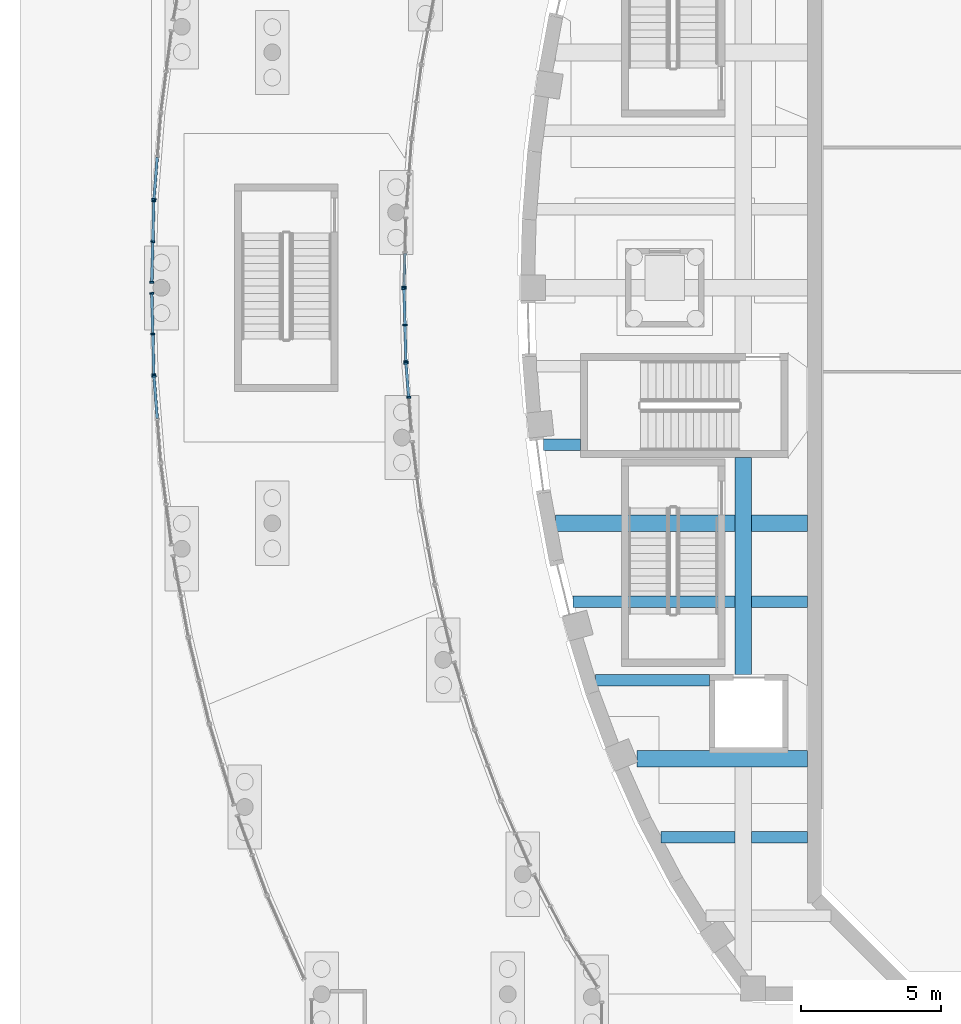
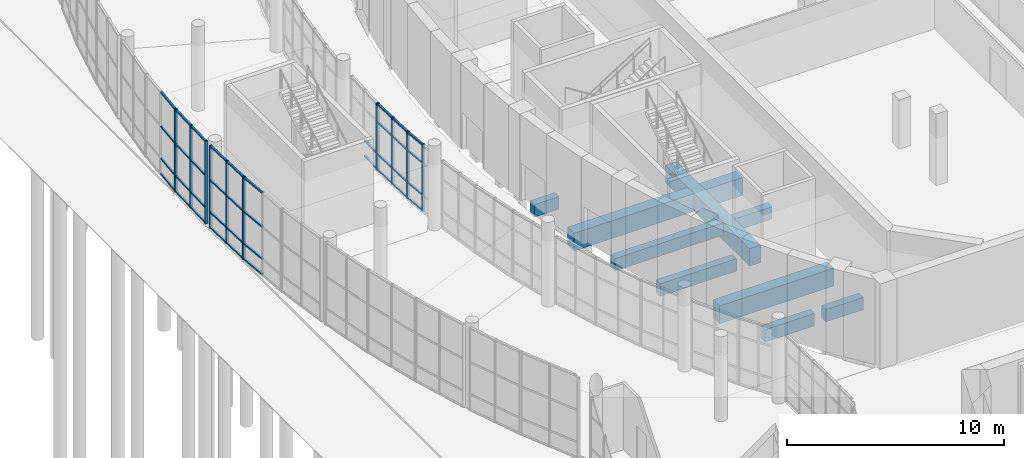
# One storey, part 22 of 110: 52 members, 9 beams, 7 elements without a shape of their own.
"""IFC4 building model written with IfcOpenShell, lengths in metres."""

from ifc_helpers import new_model, si_unit, direction, frame, origin, origin_2d, place, context, subcontext, project, spatial, rectangle, extrude, material, layer, layer_set, material_profile, profile_set, type_object, element, aggregate, save


model = new_model("IFC4")

# Units and contexts
model_context = context("Model", 3, precision=1e-05, world=origin(), true_north=direction((0.0, 1.0)))
body_context = subcontext(model_context, "Body", "Model", "MODEL_VIEW")
ifc_project = project(units=[si_unit("LENGTHUNIT", "METRE"), si_unit("AREAUNIT", "SQUARE_METRE"), si_unit("VOLUMEUNIT", "CUBIC_METRE"), si_unit("PLANEANGLEUNIT", "RADIAN"), si_unit("MASSUNIT", "GRAM", prefix="KILO")], contexts=[model_context])

# Site, building, storey
site_placement = place(None, origin())
site = spatial("IfcSite", under=ifc_project, at=site_placement, CompositionType="ELEMENT")
building_placement = place(site_placement, origin())
building = spatial("IfcBuilding", under=site, at=building_placement, Name="Larchfold Concert Hall", CompositionType="ELEMENT")
storey_placement = place(building_placement, origin())
storey = spatial("IfcBuildingStorey", under=building, at=storey_placement, Name="L00", CompositionType="ELEMENT", Elevation=0.0)

# Curtain wall, members
ifc_material_1 = material(Name="Anodised graphite aluminium curtain wall", Category="aluminium")
ifc_layer = layer(ifc_material_1, 0.14990234375)
ifc_layer_set = layer_set([ifc_layer], Name="Anodised graphite aluminium curtain wall")
curtain_wall_type = type_object("IfcCurtainWallType", Name="Curtain wall WG", PredefinedType="NOTDEFINED", material=ifc_layer_set)
curtain_wall_1_placement = place(storey_placement, origin())
curtain_wall_1 = element("IfcCurtainWall", 1, at=curtain_wall_1_placement, inside=storey, type_object=curtain_wall_type, Name="Curtain wall CW0069", PredefinedType="NOTDEFINED")
ifc_material_2 = material(Name="Anodised graphite aluminium mullion", Category="aluminium")
ifc_material_profile_1 = material_profile(ifc_material_2, rectangle(XDim=0.14990234375, YDim=0.06005859375, at=origin_2d()))
ifc_profile_set_1 = profile_set([ifc_material_profile_1], Name="Anodised graphite aluminium mullion")
member_type_1 = type_object("IfcMemberType", Name="Aluminium mullion 60x150", PredefinedType="MULLION", material=ifc_profile_set_1)
member_1_placement = place(storey_placement, frame((13.8642578125, 80.693359375, 0.0), z_axis=(0.0, 0.0, 1.0), x_axis=(-0.996988627345, -0.077547900972, 0.0)))
member_1 = element("IfcMember", 2, at=member_1_placement, type_object=member_type_1, Name="CW0069 mullion 2", PredefinedType="MULLION", context=body_context, shape_type="SweptSolid", body=[
    extrude(rectangle(XDim=0.14990234375, YDim=0.06005859375, at=origin_2d()), origin(), (0.0, 0.0, 1.0), 3.75),
])
member_2_placement = place(storey_placement, frame((13.769775390625, 81.909423828125, 0.0), z_axis=(0.0, 0.0, 1.0), x_axis=(-0.996988627345, -0.077547900972, 0.0)))
member_2 = element("IfcMember", 3, at=member_2_placement, type_object=member_type_1, Name="CW0069 mullion 3", PredefinedType="MULLION", context=body_context, shape_type="SweptSolid", body=[
    extrude(rectangle(XDim=0.14990234375, YDim=0.06005859375, at=origin_2d()), origin(), (0.0, 0.0, 1.0), 3.75),
])

curtain_wall_2_placement = place(storey_placement, origin())
curtain_wall_2 = element("IfcCurtainWall", 4, at=curtain_wall_2_placement, inside=storey, type_object=curtain_wall_type, Name="Curtain wall CW0070", PredefinedType="NOTDEFINED")
member_3_placement = place(storey_placement, frame((13.7666015625, 81.969482421875, 0.0), z_axis=(0.0, 0.0, 1.0), x_axis=(-0.999667744222, -0.02577598033, 0.0)))
member_3 = element("IfcMember", 5, at=member_3_placement, type_object=member_type_1, Name="CW0070 mullion 1", PredefinedType="MULLION", context=body_context, shape_type="SweptSolid", body=[
    extrude(rectangle(XDim=0.14990234375, YDim=0.06005859375, at=origin_2d()), origin(), (0.0, 0.0, 1.0), 3.75),
])
member_4_placement = place(storey_placement, frame((13.733154296875, 83.269775390625, 0.0), z_axis=(0.0, 0.0, 1.0), x_axis=(-0.999667744222, -0.02577598033, 0.0)))
member_4 = element("IfcMember", 6, at=member_4_placement, type_object=member_type_1, Name="CW0070 mullion 2", PredefinedType="MULLION", context=body_context, shape_type="SweptSolid", body=[
    extrude(rectangle(XDim=0.14990234375, YDim=0.06005859375, at=origin_2d()), origin(), (0.0, 0.0, 1.0), 3.75),
])
member_5_placement = place(storey_placement, frame((13.699462890625, 84.570068359375, 0.0), z_axis=(0.0, 0.0, 1.0), x_axis=(-0.999667744222, -0.02577598033, 0.0)))
member_5 = element("IfcMember", 7, at=member_5_placement, type_object=member_type_1, Name="CW0070 mullion 3", PredefinedType="MULLION", context=body_context, shape_type="SweptSolid", body=[
    extrude(rectangle(XDim=0.14990234375, YDim=0.06005859375, at=origin_2d()), origin(), (0.0, 0.0, 1.0), 3.75),
])

# Curtain wall, member
curtain_wall_3_placement = place(storey_placement, origin())
curtain_wall_3 = element("IfcCurtainWall", 8, at=curtain_wall_3_placement, inside=storey, type_object=curtain_wall_type, Name="Curtain wall CW0071", PredefinedType="NOTDEFINED")
member_6_placement = place(storey_placement, frame((13.699462890625, 84.630126953125, 0.0), z_axis=(0.0, 0.0, 1.0), x_axis=(-0.999668113706, 0.025761646688, 0.0)))
member_6 = element("IfcMember", 9, at=member_6_placement, type_object=member_type_1, Name="CW0071 mullion 1", PredefinedType="MULLION", context=body_context, shape_type="SweptSolid", body=[
    extrude(rectangle(XDim=0.14990234375, YDim=0.06005859375, at=origin_2d()), origin(), (0.0, 0.0, 1.0), 3.75),
])

curtain_wall_4_placement = place(storey_placement, origin())
curtain_wall_4 = element("IfcCurtainWall", 10, at=curtain_wall_4_placement, inside=storey, type_object=curtain_wall_type, Name="Curtain wall CW0117", PredefinedType="NOTDEFINED")
member_7_placement = place(storey_placement, frame((4.77880859375, 87.755859375, 0.0), z_axis=(0.0, 0.0, 1.0), x_axis=(0.996995051834, -0.077465260721, 0.0)))
member_7 = element("IfcMember", 11, at=member_7_placement, type_object=member_type_1, Name="CW0117 mullion 3", PredefinedType="MULLION", context=body_context, shape_type="SweptSolid", body=[
    extrude(rectangle(XDim=0.14990234375, YDim=0.06005859375, at=origin_2d()), origin(), (0.0, 0.0, 1.0), 4.64990234375),
])

# Curtain wall, members
curtain_wall_5_placement = place(storey_placement, origin())
curtain_wall_5 = element("IfcCurtainWall", 12, at=curtain_wall_5_placement, inside=storey, type_object=curtain_wall_type, Name="Curtain wall CW0118", PredefinedType="NOTDEFINED")
member_8_placement = place(storey_placement, frame((4.775634765625, 87.69580078125, 0.0), z_axis=(0.0, 0.0, 1.0), x_axis=(0.999666589289, -0.025820733125, 0.0)))
member_8 = element("IfcMember", 13, at=member_8_placement, type_object=member_type_1, Name="CW0118 mullion 1", PredefinedType="MULLION", context=body_context, shape_type="SweptSolid", body=[
    extrude(rectangle(XDim=0.14990234375, YDim=0.06005859375, at=origin_2d()), origin(), (0.0, 0.0, 1.0), 4.64990234375),
])
member_9_placement = place(storey_placement, frame((4.73828125, 86.24658203125, 0.0), z_axis=(0.0, 0.0, 1.0), x_axis=(0.999666589289, -0.025820733125, 0.0)))
member_9 = element("IfcMember", 14, at=member_9_placement, type_object=member_type_1, Name="CW0118 mullion 2", PredefinedType="MULLION", context=body_context, shape_type="SweptSolid", body=[
    extrude(rectangle(XDim=0.14990234375, YDim=0.06005859375, at=origin_2d()), origin(), (0.0, 0.0, 1.0), 4.64990234375),
])
member_10_placement = place(storey_placement, frame((4.70068359375, 84.79736328125, 0.0), z_axis=(0.0, 0.0, 1.0), x_axis=(0.999666589289, -0.025820733125, 0.0)))
member_10 = element("IfcMember", 15, at=member_10_placement, type_object=member_type_1, Name="CW0118 mullion 3", PredefinedType="MULLION", context=body_context, shape_type="SweptSolid", body=[
    extrude(rectangle(XDim=0.14990234375, YDim=0.06005859375, at=origin_2d()), origin(), (0.0, 0.0, 1.0), 4.64990234375),
])

curtain_wall_6_placement = place(storey_placement, origin())
curtain_wall_6 = element("IfcCurtainWall", 16, at=curtain_wall_6_placement, inside=storey, type_object=curtain_wall_type, Name="Curtain wall CW0119", PredefinedType="NOTDEFINED")
member_11_placement = place(storey_placement, frame((4.70068359375, 84.40283203125, 0.0), z_axis=(0.0, 0.0, 1.0), x_axis=(0.999666589289, 0.025820733125, 0.0)))
member_11 = element("IfcMember", 17, at=member_11_placement, type_object=member_type_1, Name="CW0119 mullion 1", PredefinedType="MULLION", context=body_context, shape_type="SweptSolid", body=[
    extrude(rectangle(XDim=0.14990234375, YDim=0.06005859375, at=origin_2d()), origin(), (0.0, 0.0, 1.0), 4.64990234375),
])
member_12_placement = place(storey_placement, frame((4.73828125, 82.95361328125, 0.0), z_axis=(0.0, 0.0, 1.0), x_axis=(0.999666589289, 0.025820733125, 0.0)))
member_12 = element("IfcMember", 18, at=member_12_placement, type_object=member_type_1, Name="CW0119 mullion 2", PredefinedType="MULLION", context=body_context, shape_type="SweptSolid", body=[
    extrude(rectangle(XDim=0.14990234375, YDim=0.06005859375, at=origin_2d()), origin(), (0.0, 0.0, 1.0), 4.64990234375),
])
member_13_placement = place(storey_placement, frame((4.775634765625, 81.50439453125, 0.0), z_axis=(0.0, 0.0, 1.0), x_axis=(0.999666589289, 0.025820733125, 0.0)))
member_13 = element("IfcMember", 19, at=member_13_placement, type_object=member_type_1, Name="CW0119 mullion 3", PredefinedType="MULLION", context=body_context, shape_type="SweptSolid", body=[
    extrude(rectangle(XDim=0.14990234375, YDim=0.06005859375, at=origin_2d()), origin(), (0.0, 0.0, 1.0), 4.64990234375),
])

# Curtain wall, member
curtain_wall_7_placement = place(storey_placement, origin())
curtain_wall_7 = element("IfcCurtainWall", 20, at=curtain_wall_7_placement, inside=storey, type_object=curtain_wall_type, Name="Curtain wall CW0120", PredefinedType="NOTDEFINED")
member_14_placement = place(storey_placement, frame((4.77880859375, 81.4443359375, 0.0), z_axis=(0.0, 0.0, 1.0), x_axis=(0.996995051833, 0.077465260739, 0.0)))
member_14 = element("IfcMember", 21, at=member_14_placement, type_object=member_type_1, Name="CW0120 mullion 1", PredefinedType="MULLION", context=body_context, shape_type="SweptSolid", body=[
    extrude(rectangle(XDim=0.14990234375, YDim=0.06005859375, at=origin_2d()), origin(), (0.0, 0.0, 1.0), 4.64990234375),
])

# Member
ifc_material_3 = material(Name="Anodised graphite aluminium transom", Category="aluminium")
ifc_material_profile_2 = material_profile(ifc_material_3, rectangle(XDim=0.10009765625, YDim=0.080078125, at=origin_2d()))
ifc_profile_set_2 = profile_set([ifc_material_profile_2], Name="Anodised graphite aluminium transom")
member_type_2 = type_object("IfcMemberType", Name="Aluminium transom 80x100", PredefinedType="USERDEFINED", material=ifc_profile_set_2)
member_15_placement = place(storey_placement, frame((13.86181640625, 80.723388671875, 0.0400390625), z_axis=(-0.077469186407, 0.996994746805, 0.0), x_axis=(-0.996994746805, -0.077469186407, 0.0)))
member_15 = element("IfcMember", 22, at=member_15_placement, type_object=member_type_2, Name="CW0069 transom 2.1", ObjectType="TRANSOM", PredefinedType="USERDEFINED", context=body_context, shape_type="SweptSolid", body=[
    extrude(rectangle(XDim=0.10009765625, YDim=0.080078125, at=origin_2d()), origin(), (0.0, 0.0, 1.0), 1.15966796875),
])

member_16_placement = place(storey_placement, frame((13.86181640625, 80.723388671875, 0.89990234375), z_axis=(-0.077469186407, 0.996994746805, 0.0), x_axis=(-0.996994746805, -0.077469186407, 0.0)))
member_16 = element("IfcMember", 23, at=member_16_placement, type_object=member_type_2, Name="CW0069 transom 2.2", ObjectType="TRANSOM", PredefinedType="USERDEFINED", context=body_context, shape_type="SweptSolid", body=[
    extrude(rectangle(XDim=0.10009765625, YDim=0.080078125, at=origin_2d()), origin(), (0.0, 0.0, 1.0), 1.15966796875),
])

member_17_placement = place(storey_placement, frame((13.86181640625, 80.723388671875, 2.699951171875), z_axis=(-0.077469186407, 0.996994746805, 0.0), x_axis=(-0.996994746805, -0.077469186407, 0.0)))
member_17 = element("IfcMember", 24, at=member_17_placement, type_object=member_type_2, Name="CW0069 transom 2.3", ObjectType="TRANSOM", PredefinedType="USERDEFINED", context=body_context, shape_type="SweptSolid", body=[
    extrude(rectangle(XDim=0.10009765625, YDim=0.080078125, at=origin_2d()), origin(), (0.0, 0.0, 1.0), 1.15966796875),
])

member_18_placement = place(storey_placement, frame((13.86181640625, 80.723388671875, 3.7099609375), z_axis=(-0.077469186407, 0.996994746805, 0.0), x_axis=(-0.996994746805, -0.077469186407, 0.0)))
member_18 = element("IfcMember", 25, at=member_18_placement, type_object=member_type_2, Name="CW0069 transom 2.4", ObjectType="TRANSOM", PredefinedType="USERDEFINED", context=body_context, shape_type="SweptSolid", body=[
    extrude(rectangle(XDim=0.10009765625, YDim=0.080078125, at=origin_2d()), origin(), (0.0, 0.0, 1.0), 1.15966796875),
])

aggregate(curtain_wall_1, [member_1, member_2, member_15, member_16, member_17, member_18])

member_19_placement = place(storey_placement, frame((13.765869140625, 81.99951171875, 0.0400390625), z_axis=(-0.025778831666, 0.999667670698, 0.0), x_axis=(-0.999667670698, -0.025778831666, 0.0)))
member_19 = element("IfcMember", 26, at=member_19_placement, type_object=member_type_2, Name="CW0070 transom 1.1", ObjectType="TRANSOM", PredefinedType="USERDEFINED", context=body_context, shape_type="SweptSolid", body=[
    extrude(rectangle(XDim=0.10009765625, YDim=0.080078125, at=origin_2d()), origin(), (0.0, 0.0, 1.0), 1.24072265625),
])

member_20_placement = place(storey_placement, frame((13.765869140625, 81.99951171875, 0.89990234375), z_axis=(-0.025778831666, 0.999667670698, 0.0), x_axis=(-0.999667670698, -0.025778831666, 0.0)))
member_20 = element("IfcMember", 27, at=member_20_placement, type_object=member_type_2, Name="CW0070 transom 1.2", ObjectType="TRANSOM", PredefinedType="USERDEFINED", context=body_context, shape_type="SweptSolid", body=[
    extrude(rectangle(XDim=0.10009765625, YDim=0.080078125, at=origin_2d()), origin(), (0.0, 0.0, 1.0), 1.24072265625),
])

member_21_placement = place(storey_placement, frame((13.765869140625, 81.99951171875, 2.699951171875), z_axis=(-0.025778831666, 0.999667670698, 0.0), x_axis=(-0.999667670698, -0.025778831666, 0.0)))
member_21 = element("IfcMember", 28, at=member_21_placement, type_object=member_type_2, Name="CW0070 transom 1.3", ObjectType="TRANSOM", PredefinedType="USERDEFINED", context=body_context, shape_type="SweptSolid", body=[
    extrude(rectangle(XDim=0.10009765625, YDim=0.080078125, at=origin_2d()), origin(), (0.0, 0.0, 1.0), 1.24072265625),
])

member_22_placement = place(storey_placement, frame((13.765869140625, 81.99951171875, 3.7099609375), z_axis=(-0.025778831666, 0.999667670698, 0.0), x_axis=(-0.999667670698, -0.025778831666, 0.0)))
member_22 = element("IfcMember", 29, at=member_22_placement, type_object=member_type_2, Name="CW0070 transom 1.4", ObjectType="TRANSOM", PredefinedType="USERDEFINED", context=body_context, shape_type="SweptSolid", body=[
    extrude(rectangle(XDim=0.10009765625, YDim=0.080078125, at=origin_2d()), origin(), (0.0, 0.0, 1.0), 1.24072265625),
])

member_23_placement = place(storey_placement, frame((13.732177734375, 83.2998046875, 0.0400390625), z_axis=(-0.025778831666, 0.999667670698, 0.0), x_axis=(-0.999667670698, -0.025778831666, 0.0)))
member_23 = element("IfcMember", 30, at=member_23_placement, type_object=member_type_2, Name="CW0070 transom 2.1", ObjectType="TRANSOM", PredefinedType="USERDEFINED", context=body_context, shape_type="SweptSolid", body=[
    extrude(rectangle(XDim=0.10009765625, YDim=0.080078125, at=origin_2d()), origin(), (0.0, 0.0, 1.0), 1.24072265625),
])

member_24_placement = place(storey_placement, frame((13.732177734375, 83.2998046875, 0.89990234375), z_axis=(-0.025778831666, 0.999667670698, 0.0), x_axis=(-0.999667670698, -0.025778831666, 0.0)))
member_24 = element("IfcMember", 31, at=member_24_placement, type_object=member_type_2, Name="CW0070 transom 2.2", ObjectType="TRANSOM", PredefinedType="USERDEFINED", context=body_context, shape_type="SweptSolid", body=[
    extrude(rectangle(XDim=0.10009765625, YDim=0.080078125, at=origin_2d()), origin(), (0.0, 0.0, 1.0), 1.24072265625),
])

member_25_placement = place(storey_placement, frame((13.732177734375, 83.2998046875, 2.699951171875), z_axis=(-0.025778831666, 0.999667670698, 0.0), x_axis=(-0.999667670698, -0.025778831666, 0.0)))
member_25 = element("IfcMember", 32, at=member_25_placement, type_object=member_type_2, Name="CW0070 transom 2.3", ObjectType="TRANSOM", PredefinedType="USERDEFINED", context=body_context, shape_type="SweptSolid", body=[
    extrude(rectangle(XDim=0.10009765625, YDim=0.080078125, at=origin_2d()), origin(), (0.0, 0.0, 1.0), 1.24072265625),
])

member_26_placement = place(storey_placement, frame((13.732177734375, 83.2998046875, 3.7099609375), z_axis=(-0.025778831666, 0.999667670698, 0.0), x_axis=(-0.999667670698, -0.025778831666, 0.0)))
member_26 = element("IfcMember", 33, at=member_26_placement, type_object=member_type_2, Name="CW0070 transom 2.4", ObjectType="TRANSOM", PredefinedType="USERDEFINED", context=body_context, shape_type="SweptSolid", body=[
    extrude(rectangle(XDim=0.10009765625, YDim=0.080078125, at=origin_2d()), origin(), (0.0, 0.0, 1.0), 1.24072265625),
])

aggregate(curtain_wall_2, [member_3, member_4, member_5, member_19, member_20, member_21, member_22, member_23, member_24, member_25, member_26])

member_27_placement = place(storey_placement, frame((13.7001953125, 84.66015625, 0.0400390625), z_axis=(0.025867801791, 0.999665372427, 0.0), x_axis=(-0.999665372427, 0.025867801791, 0.0)))
member_27 = element("IfcMember", 34, at=member_27_placement, type_object=member_type_2, Name="CW0071 transom 1.1", ObjectType="TRANSOM", PredefinedType="USERDEFINED", context=body_context, shape_type="SweptSolid", body=[
    extrude(rectangle(XDim=0.10009765625, YDim=0.080078125, at=origin_2d()), origin(), (0.0, 0.0, 1.0), 1.17041015625),
])

member_28_placement = place(storey_placement, frame((13.7001953125, 84.66015625, 0.89990234375), z_axis=(0.025867801791, 0.999665372427, 0.0), x_axis=(-0.999665372427, 0.025867801791, 0.0)))
member_28 = element("IfcMember", 35, at=member_28_placement, type_object=member_type_2, Name="CW0071 transom 1.2", ObjectType="TRANSOM", PredefinedType="USERDEFINED", context=body_context, shape_type="SweptSolid", body=[
    extrude(rectangle(XDim=0.10009765625, YDim=0.080078125, at=origin_2d()), origin(), (0.0, 0.0, 1.0), 1.17041015625),
])

aggregate(curtain_wall_3, [member_6, member_27, member_28])

member_29_placement = place(storey_placement, frame((4.895263671875, 89.257568359375, 0.0400390625), z_axis=(-0.077391996533, -0.997000741661, 0.0), x_axis=(0.997000741661, -0.077391996533, 0.0)))
member_29 = element("IfcMember", 36, at=member_29_placement, type_object=member_type_2, Name="CW0117 transom 2.1", ObjectType="TRANSOM", PredefinedType="USERDEFINED", context=body_context, shape_type="SweptSolid", body=[
    extrude(rectangle(XDim=0.10009765625, YDim=0.080078125, at=origin_2d()), origin(), (0.0, 0.0, 1.0), 1.476318359375),
])

member_30_placement = place(storey_placement, frame((4.895263671875, 89.257568359375, 0.89990234375), z_axis=(-0.077391996533, -0.997000741661, 0.0), x_axis=(0.997000741661, -0.077391996533, 0.0)))
member_30 = element("IfcMember", 37, at=member_30_placement, type_object=member_type_2, Name="CW0117 transom 2.2", ObjectType="TRANSOM", PredefinedType="USERDEFINED", context=body_context, shape_type="SweptSolid", body=[
    extrude(rectangle(XDim=0.10009765625, YDim=0.080078125, at=origin_2d()), origin(), (0.0, 0.0, 1.0), 1.476318359375),
])

member_31_placement = place(storey_placement, frame((4.895263671875, 89.257568359375, 2.699951171875), z_axis=(-0.077391996533, -0.997000741661, 0.0), x_axis=(0.997000741661, -0.077391996533, 0.0)))
member_31 = element("IfcMember", 38, at=member_31_placement, type_object=member_type_2, Name="CW0117 transom 2.3", ObjectType="TRANSOM", PredefinedType="USERDEFINED", context=body_context, shape_type="SweptSolid", body=[
    extrude(rectangle(XDim=0.10009765625, YDim=0.080078125, at=origin_2d()), origin(), (0.0, 0.0, 1.0), 1.476318359375),
])

member_32_placement = place(storey_placement, frame((4.895263671875, 89.257568359375, 4.60986328125), z_axis=(-0.077391996533, -0.997000741661, 0.0), x_axis=(0.997000741661, -0.077391996533, 0.0)))
member_32 = element("IfcMember", 39, at=member_32_placement, type_object=member_type_2, Name="CW0117 transom 2.4", ObjectType="TRANSOM", PredefinedType="USERDEFINED", context=body_context, shape_type="SweptSolid", body=[
    extrude(rectangle(XDim=0.10009765625, YDim=0.080078125, at=origin_2d()), origin(), (0.0, 0.0, 1.0), 1.476318359375),
])

aggregate(curtain_wall_4, [member_7, member_29, member_30, member_31, member_32])

member_33_placement = place(storey_placement, frame((4.77490234375, 87.665771484375, 0.0400390625), z_axis=(-0.025826180657, -0.999666448568, 0.0), x_axis=(0.999666448568, -0.025826180657, 0.0)))
member_33 = element("IfcMember", 40, at=member_33_placement, type_object=member_type_2, Name="CW0118 transom 1.1", ObjectType="TRANSOM", PredefinedType="USERDEFINED", context=body_context, shape_type="SweptSolid", body=[
    extrude(rectangle(XDim=0.10009765625, YDim=0.080078125, at=origin_2d()), origin(), (0.0, 0.0, 1.0), 1.3896484375),
])

member_34_placement = place(storey_placement, frame((4.77490234375, 87.665771484375, 0.89990234375), z_axis=(-0.025826180657, -0.999666448568, 0.0), x_axis=(0.999666448568, -0.025826180657, 0.0)))
member_34 = element("IfcMember", 41, at=member_34_placement, type_object=member_type_2, Name="CW0118 transom 1.2", ObjectType="TRANSOM", PredefinedType="USERDEFINED", context=body_context, shape_type="SweptSolid", body=[
    extrude(rectangle(XDim=0.10009765625, YDim=0.080078125, at=origin_2d()), origin(), (0.0, 0.0, 1.0), 1.3896484375),
])

member_35_placement = place(storey_placement, frame((4.77490234375, 87.665771484375, 2.699951171875), z_axis=(-0.025826180657, -0.999666448568, 0.0), x_axis=(0.999666448568, -0.025826180657, 0.0)))
member_35 = element("IfcMember", 42, at=member_35_placement, type_object=member_type_2, Name="CW0118 transom 1.3", ObjectType="TRANSOM", PredefinedType="USERDEFINED", context=body_context, shape_type="SweptSolid", body=[
    extrude(rectangle(XDim=0.10009765625, YDim=0.080078125, at=origin_2d()), origin(), (0.0, 0.0, 1.0), 1.3896484375),
])

member_36_placement = place(storey_placement, frame((4.77490234375, 87.665771484375, 4.60986328125), z_axis=(-0.025826180657, -0.999666448568, 0.0), x_axis=(0.999666448568, -0.025826180657, 0.0)))
member_36 = element("IfcMember", 43, at=member_36_placement, type_object=member_type_2, Name="CW0118 transom 1.4", ObjectType="TRANSOM", PredefinedType="USERDEFINED", context=body_context, shape_type="SweptSolid", body=[
    extrude(rectangle(XDim=0.10009765625, YDim=0.080078125, at=origin_2d()), origin(), (0.0, 0.0, 1.0), 1.3896484375),
])

member_37_placement = place(storey_placement, frame((4.7373046875, 86.216552734375, 0.0400390625), z_axis=(-0.025826180657, -0.999666448568, 0.0), x_axis=(0.999666448568, -0.025826180657, 0.0)))
member_37 = element("IfcMember", 44, at=member_37_placement, type_object=member_type_2, Name="CW0118 transom 2.1", ObjectType="TRANSOM", PredefinedType="USERDEFINED", context=body_context, shape_type="SweptSolid", body=[
    extrude(rectangle(XDim=0.10009765625, YDim=0.080078125, at=origin_2d()), origin(), (0.0, 0.0, 1.0), 1.3896484375),
])

member_38_placement = place(storey_placement, frame((4.7373046875, 86.216552734375, 0.89990234375), z_axis=(-0.025826180657, -0.999666448568, 0.0), x_axis=(0.999666448568, -0.025826180657, 0.0)))
member_38 = element("IfcMember", 45, at=member_38_placement, type_object=member_type_2, Name="CW0118 transom 2.2", ObjectType="TRANSOM", PredefinedType="USERDEFINED", context=body_context, shape_type="SweptSolid", body=[
    extrude(rectangle(XDim=0.10009765625, YDim=0.080078125, at=origin_2d()), origin(), (0.0, 0.0, 1.0), 1.3896484375),
])

member_39_placement = place(storey_placement, frame((4.7373046875, 86.216552734375, 2.699951171875), z_axis=(-0.025826180657, -0.999666448568, 0.0), x_axis=(0.999666448568, -0.025826180657, 0.0)))
member_39 = element("IfcMember", 46, at=member_39_placement, type_object=member_type_2, Name="CW0118 transom 2.3", ObjectType="TRANSOM", PredefinedType="USERDEFINED", context=body_context, shape_type="SweptSolid", body=[
    extrude(rectangle(XDim=0.10009765625, YDim=0.080078125, at=origin_2d()), origin(), (0.0, 0.0, 1.0), 1.3896484375),
])

member_40_placement = place(storey_placement, frame((4.7373046875, 86.216552734375, 4.60986328125), z_axis=(-0.025826180657, -0.999666448568, 0.0), x_axis=(0.999666448568, -0.025826180657, 0.0)))
member_40 = element("IfcMember", 47, at=member_40_placement, type_object=member_type_2, Name="CW0118 transom 2.4", ObjectType="TRANSOM", PredefinedType="USERDEFINED", context=body_context, shape_type="SweptSolid", body=[
    extrude(rectangle(XDim=0.10009765625, YDim=0.080078125, at=origin_2d()), origin(), (0.0, 0.0, 1.0), 1.3896484375),
])

aggregate(curtain_wall_5, [member_8, member_9, member_10, member_33, member_34, member_35, member_36, member_37, member_38, member_39, member_40])

member_41_placement = place(storey_placement, frame((4.701416015625, 84.372802734375, 0.0400390625), z_axis=(0.025826180657, -0.999666448568, 0.0), x_axis=(0.999666448568, 0.025826180657, 0.0)))
member_41 = element("IfcMember", 48, at=member_41_placement, type_object=member_type_2, Name="CW0119 transom 1.1", ObjectType="TRANSOM", PredefinedType="USERDEFINED", context=body_context, shape_type="SweptSolid", body=[
    extrude(rectangle(XDim=0.10009765625, YDim=0.080078125, at=origin_2d()), origin(), (0.0, 0.0, 1.0), 1.3896484375),
])

member_42_placement = place(storey_placement, frame((4.701416015625, 84.372802734375, 0.89990234375), z_axis=(0.025826180657, -0.999666448568, 0.0), x_axis=(0.999666448568, 0.025826180657, 0.0)))
member_42 = element("IfcMember", 49, at=member_42_placement, type_object=member_type_2, Name="CW0119 transom 1.2", ObjectType="TRANSOM", PredefinedType="USERDEFINED", context=body_context, shape_type="SweptSolid", body=[
    extrude(rectangle(XDim=0.10009765625, YDim=0.080078125, at=origin_2d()), origin(), (0.0, 0.0, 1.0), 1.3896484375),
])

member_43_placement = place(storey_placement, frame((4.701416015625, 84.372802734375, 2.699951171875), z_axis=(0.025826180657, -0.999666448568, 0.0), x_axis=(0.999666448568, 0.025826180657, 0.0)))
member_43 = element("IfcMember", 50, at=member_43_placement, type_object=member_type_2, Name="CW0119 transom 1.3", ObjectType="TRANSOM", PredefinedType="USERDEFINED", context=body_context, shape_type="SweptSolid", body=[
    extrude(rectangle(XDim=0.10009765625, YDim=0.080078125, at=origin_2d()), origin(), (0.0, 0.0, 1.0), 1.3896484375),
])

member_44_placement = place(storey_placement, frame((4.701416015625, 84.372802734375, 4.60986328125), z_axis=(0.025826180657, -0.999666448568, 0.0), x_axis=(0.999666448568, 0.025826180657, 0.0)))
member_44 = element("IfcMember", 51, at=member_44_placement, type_object=member_type_2, Name="CW0119 transom 1.4", ObjectType="TRANSOM", PredefinedType="USERDEFINED", context=body_context, shape_type="SweptSolid", body=[
    extrude(rectangle(XDim=0.10009765625, YDim=0.080078125, at=origin_2d()), origin(), (0.0, 0.0, 1.0), 1.3896484375),
])

member_45_placement = place(storey_placement, frame((4.739013671875, 82.923583984375, 0.0400390625), z_axis=(0.025826180657, -0.999666448568, 0.0), x_axis=(0.999666448568, 0.025826180657, 0.0)))
member_45 = element("IfcMember", 52, at=member_45_placement, type_object=member_type_2, Name="CW0119 transom 2.1", ObjectType="TRANSOM", PredefinedType="USERDEFINED", context=body_context, shape_type="SweptSolid", body=[
    extrude(rectangle(XDim=0.10009765625, YDim=0.080078125, at=origin_2d()), origin(), (0.0, 0.0, 1.0), 1.3896484375),
])

member_46_placement = place(storey_placement, frame((4.739013671875, 82.923583984375, 0.89990234375), z_axis=(0.025826180657, -0.999666448568, 0.0), x_axis=(0.999666448568, 0.025826180657, 0.0)))
member_46 = element("IfcMember", 53, at=member_46_placement, type_object=member_type_2, Name="CW0119 transom 2.2", ObjectType="TRANSOM", PredefinedType="USERDEFINED", context=body_context, shape_type="SweptSolid", body=[
    extrude(rectangle(XDim=0.10009765625, YDim=0.080078125, at=origin_2d()), origin(), (0.0, 0.0, 1.0), 1.3896484375),
])

member_47_placement = place(storey_placement, frame((4.739013671875, 82.923583984375, 2.699951171875), z_axis=(0.025826180657, -0.999666448568, 0.0), x_axis=(0.999666448568, 0.025826180657, 0.0)))
member_47 = element("IfcMember", 54, at=member_47_placement, type_object=member_type_2, Name="CW0119 transom 2.3", ObjectType="TRANSOM", PredefinedType="USERDEFINED", context=body_context, shape_type="SweptSolid", body=[
    extrude(rectangle(XDim=0.10009765625, YDim=0.080078125, at=origin_2d()), origin(), (0.0, 0.0, 1.0), 1.3896484375),
])

member_48_placement = place(storey_placement, frame((4.739013671875, 82.923583984375, 4.60986328125), z_axis=(0.025826180657, -0.999666448568, 0.0), x_axis=(0.999666448568, 0.025826180657, 0.0)))
member_48 = element("IfcMember", 55, at=member_48_placement, type_object=member_type_2, Name="CW0119 transom 2.4", ObjectType="TRANSOM", PredefinedType="USERDEFINED", context=body_context, shape_type="SweptSolid", body=[
    extrude(rectangle(XDim=0.10009765625, YDim=0.080078125, at=origin_2d()), origin(), (0.0, 0.0, 1.0), 1.3896484375),
])

aggregate(curtain_wall_6, [member_11, member_12, member_13, member_41, member_42, member_43, member_44, member_45, member_46, member_47, member_48])

member_49_placement = place(storey_placement, frame((4.781005859375, 81.41455078125, 0.0400390625), z_axis=(0.077391996533, -0.997000741661, 0.0), x_axis=(0.997000741661, 0.077391996533, 0.0)))
member_49 = element("IfcMember", 56, at=member_49_placement, type_object=member_type_2, Name="CW0120 transom 1.1", ObjectType="TRANSOM", PredefinedType="USERDEFINED", context=body_context, shape_type="SweptSolid", body=[
    extrude(rectangle(XDim=0.10009765625, YDim=0.080078125, at=origin_2d()), origin(), (0.0, 0.0, 1.0), 1.476318359375),
])

member_50_placement = place(storey_placement, frame((4.781005859375, 81.41455078125, 0.89990234375), z_axis=(0.077391996533, -0.997000741661, 0.0), x_axis=(0.997000741661, 0.077391996533, 0.0)))
member_50 = element("IfcMember", 57, at=member_50_placement, type_object=member_type_2, Name="CW0120 transom 1.2", ObjectType="TRANSOM", PredefinedType="USERDEFINED", context=body_context, shape_type="SweptSolid", body=[
    extrude(rectangle(XDim=0.10009765625, YDim=0.080078125, at=origin_2d()), origin(), (0.0, 0.0, 1.0), 1.476318359375),
])

member_51_placement = place(storey_placement, frame((4.781005859375, 81.41455078125, 2.699951171875), z_axis=(0.077391996533, -0.997000741661, 0.0), x_axis=(0.997000741661, 0.077391996533, 0.0)))
member_51 = element("IfcMember", 58, at=member_51_placement, type_object=member_type_2, Name="CW0120 transom 1.3", ObjectType="TRANSOM", PredefinedType="USERDEFINED", context=body_context, shape_type="SweptSolid", body=[
    extrude(rectangle(XDim=0.10009765625, YDim=0.080078125, at=origin_2d()), origin(), (0.0, 0.0, 1.0), 1.476318359375),
])

member_52_placement = place(storey_placement, frame((4.781005859375, 81.41455078125, 4.60986328125), z_axis=(0.077391996533, -0.997000741661, 0.0), x_axis=(0.997000741661, 0.077391996533, 0.0)))
member_52 = element("IfcMember", 59, at=member_52_placement, type_object=member_type_2, Name="CW0120 transom 1.4", ObjectType="TRANSOM", PredefinedType="USERDEFINED", context=body_context, shape_type="SweptSolid", body=[
    extrude(rectangle(XDim=0.10009765625, YDim=0.080078125, at=origin_2d()), origin(), (0.0, 0.0, 1.0), 1.476318359375),
])

aggregate(curtain_wall_7, [member_14, member_49, member_50, member_51, member_52])

# Beams
ifc_material_4 = material(Name="Concrete C35/45", Category="concrete")
ifc_material_profile_3 = material_profile(ifc_material_4, rectangle(XDim=0.39990234375, YDim=0.699951171875, at=origin_2d()))
ifc_profile_set_3 = profile_set([ifc_material_profile_3], Name="Concrete C35/45")
beam_type_1 = type_object("IfcBeamType", Name="Beam RC 400x700", PredefinedType="BEAM", material=ifc_profile_set_3)
beam_1_placement = place(storey_placement, frame((22.860107421875, 65.0, -0.550048828125), z_axis=(1.0, 0.0, 0.0), x_axis=(0.0, 1.0, 0.0)))
element("IfcBeam", 60, at=beam_1_placement, inside=storey, type_object=beam_type_1, Name="Beam B1139", PredefinedType="BEAM", context=body_context, shape_type="SweptSolid", body=[
    extrude(rectangle(XDim=0.39990234375, YDim=0.699951171875, at=origin_2d()), origin(), (0.0, 0.0, 1.0), 2.639892578125),
])
beam_2_placement = place(storey_placement, frame((26.10009765625, 65.0, -0.550048828125), z_axis=(1.0, 0.0, 0.0), x_axis=(0.0, 1.0, 0.0)))
element("IfcBeam", 61, at=beam_2_placement, inside=storey, type_object=beam_type_1, Name="Beam B1140", PredefinedType="BEAM", context=body_context, shape_type="SweptSolid", body=[
    extrude(rectangle(XDim=0.39990234375, YDim=0.699951171875, at=origin_2d()), origin(), (0.0, 0.0, 1.0), 1.989990234375),
])
beam_3_placement = place(storey_placement, frame((20.525634765625, 70.60009765625, -0.550048828125), z_axis=(1.0, 0.0, 0.0), x_axis=(0.0, 1.0, 0.0)))
element("IfcBeam", 62, at=beam_3_placement, inside=storey, type_object=beam_type_1, Name="Beam B1143", PredefinedType="BEAM", context=body_context, shape_type="SweptSolid", body=[
    extrude(rectangle(XDim=0.39990234375, YDim=0.699951171875, at=origin_2d()), origin(), (0.0, 0.0, 1.0), 4.074462890625),
])
beam_4_placement = place(storey_placement, frame((19.72119140625, 73.39990234375, -0.550048828125), z_axis=(1.0, 0.0, 0.0), x_axis=(0.0, 1.0, 0.0)))
element("IfcBeam", 63, at=beam_4_placement, inside=storey, type_object=beam_type_1, Name="Beam B1145", PredefinedType="BEAM", context=body_context, shape_type="SweptSolid", body=[
    extrude(rectangle(XDim=0.39990234375, YDim=0.699951171875, at=origin_2d()), origin(), (0.0, 0.0, 1.0), 5.77880859375),
])
beam_5_placement = place(storey_placement, frame((26.10009765625, 73.39990234375, -0.550048828125), z_axis=(1.0, 0.0, 0.0), x_axis=(0.0, 1.0, 0.0)))
element("IfcBeam", 64, at=beam_5_placement, inside=storey, type_object=beam_type_1, Name="Beam B1146", PredefinedType="BEAM", context=body_context, shape_type="SweptSolid", body=[
    extrude(rectangle(XDim=0.39990234375, YDim=0.699951171875, at=origin_2d()), origin(), (0.0, 0.0, 1.0), 1.989990234375),
])
beam_6_placement = place(storey_placement, frame((18.68017578125, 79.0, -0.550048828125), z_axis=(1.0, 0.0, 0.0), x_axis=(0.0, 1.0, 0.0)))
element("IfcBeam", 65, at=beam_6_placement, inside=storey, type_object=beam_type_1, Name="Beam B1149", PredefinedType="BEAM", context=body_context, shape_type="SweptSolid", body=[
    extrude(rectangle(XDim=0.39990234375, YDim=0.699951171875, at=origin_2d()), origin(), (0.0, 0.0, 1.0), 1.31982421875),
])
ifc_material_5 = material(Name="Concrete C35/45", Category="concrete")
ifc_material_profile_4 = material_profile(ifc_material_5, rectangle(XDim=0.60009765625, YDim=1.0, at=origin_2d()))
ifc_profile_set_4 = profile_set([ifc_material_profile_4], Name="Concrete C35/45")
beam_type_2 = type_object("IfcBeamType", Name="Beam RC 600x1000", PredefinedType="BEAM", material=ifc_profile_set_4)
beam_7_placement = place(storey_placement, frame((25.800048828125, 70.800048828125, -0.699951171875), z_axis=(0.0, 1.0, 0.0), x_axis=(-1.0, 0.0, 0.0)))
element("IfcBeam", 66, at=beam_7_placement, inside=storey, type_object=beam_type_2, Name="Beam B1107", PredefinedType="BEAM", context=body_context, shape_type="SweptSolid", body=[
    extrude(rectangle(XDim=0.60009765625, YDim=1.0, at=origin_2d()), origin(), (0.0, 0.0, 1.0), 7.75),
])
beam_8_placement = place(storey_placement, frame((22.001708984375, 67.800048828125, -0.699951171875), z_axis=(1.0, 0.0, 0.0), x_axis=(0.0, 1.0, 0.0)))
element("IfcBeam", 67, at=beam_8_placement, inside=storey, type_object=beam_type_2, Name="Beam B1120", PredefinedType="BEAM", context=body_context, shape_type="SweptSolid", body=[
    extrude(rectangle(XDim=0.60009765625, YDim=1.0, at=origin_2d()), origin(), (0.0, 0.0, 1.0), 6.08837890625),
])
beam_9_placement = place(storey_placement, frame((19.1103515625, 76.199951171875, -0.699951171875), z_axis=(1.0, 0.0, 0.0), x_axis=(0.0, 1.0, 0.0)))
element("IfcBeam", 68, at=beam_9_placement, inside=storey, type_object=beam_type_2, Name="Beam B1122", PredefinedType="BEAM", context=body_context, shape_type="SweptSolid", body=[
    extrude(rectangle(XDim=0.60009765625, YDim=1.0, at=origin_2d()), origin(), (0.0, 0.0, 1.0), 8.979736328125),
])

save(model, "model.ifc")
